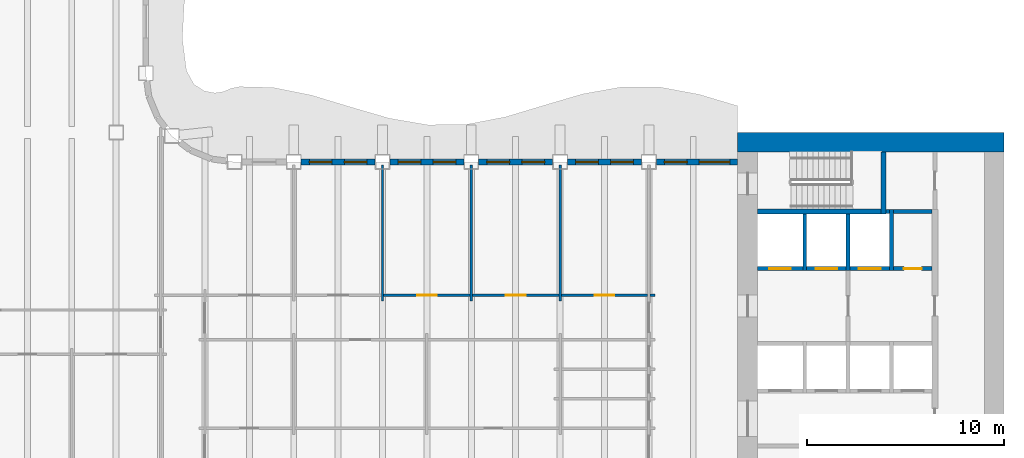
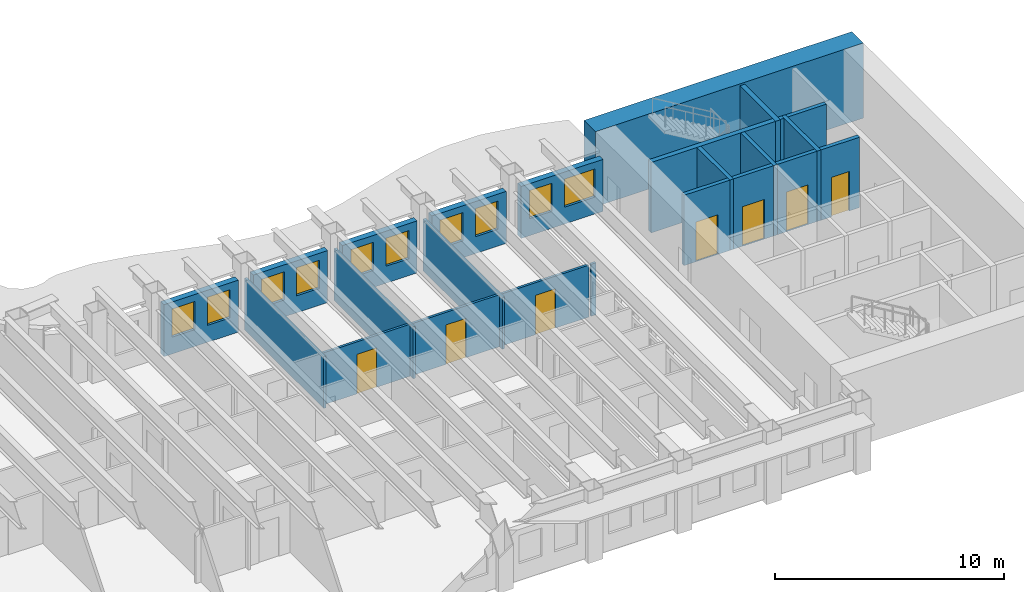
# One storey, part 7 of 16: 24 walls, 10 windows, 7 doors, 17 openings.
"""IFC4 building model written with IfcOpenShell, lengths in metres."""

from ifc_helpers import new_model, si_unit, direction, frame, frame_2d, origin, place, context, subcontext, project, spatial, rectangle, extrude, material, layer, layer_set, type_object, element, fill, save


model = new_model("IFC4")

# Units and contexts
model_context = context("Model", 3, precision=1e-05, world=origin(), true_north=direction((0.0, 1.0)))
body_context = subcontext(model_context, "Body", "Model", "MODEL_VIEW")
ifc_project = project(units=[si_unit("LENGTHUNIT", "METRE"), si_unit("AREAUNIT", "SQUARE_METRE"), si_unit("VOLUMEUNIT", "CUBIC_METRE"), si_unit("PLANEANGLEUNIT", "RADIAN"), si_unit("MASSUNIT", "GRAM", prefix="KILO")], contexts=[model_context])

# Site, building, storey
site_placement = place(None, origin())
site = spatial("IfcSite", under=ifc_project, at=site_placement, CompositionType="ELEMENT")
building_placement = place(site_placement, origin())
building = spatial("IfcBuilding", under=site, at=building_placement, Name="Sennacour Bend Tower", CompositionType="ELEMENT")
storey_placement = place(building_placement, frame((0.0, 0.0, 239.0)))
storey = spatial("IfcBuildingStorey", under=building, at=storey_placement, Name="L55", CompositionType="ELEMENT", Elevation=239.0)

# Walls
ifc_material_1 = material(Name="Concrete C60/75", Category="concrete")
ifc_layer_1 = layer(ifc_material_1, 1.0, Name="Concrete C60/75", Category="concrete")
ifc_layer_set_1 = layer_set([ifc_layer_1], Name="Concrete C60/75")
wall_type_1 = type_object("IfcWallType", Name="Core wall 1000 C60/75", PredefinedType="SHEAR", material=ifc_layer_set_1)
wall_1_placement = place(storey_placement, frame((54.0, 22.0, -0.14990234375), z_axis=(0.0, 0.0, 1.0), x_axis=(1.0, 0.0, 0.0)))
element("IfcWall", 1, at=wall_1_placement, inside=storey, type_object=wall_type_1, Name="Core A wall L55 N", PredefinedType="SHEAR", context=body_context, shape_type="SweptSolid", body=[
    extrude(rectangle(XDim=13.5, YDim=1.0, at=frame_2d((6.75, 0.0))), origin(), (0.0, 0.0, 1.0), 4.0),
])
ifc_material_2 = material(Name="Plasterboard partition on steel studs", Category="steel")
ifc_layer_2 = layer(ifc_material_2, 0.1201171875, Name="Plasterboard partition on steel studs", Category="steel")
ifc_layer_set_2 = layer_set([ifc_layer_2], Name="Plasterboard partition on steel studs")
wall_type_2 = type_object("IfcWallType", Name="Partition 120", PredefinedType="PARTITIONING", material=ifc_layer_set_2)
for number, where, z_axis, x_axis, name in (
    (2, (36.0, 13.949951171875, 0.0), (0.0, 0.0, 1.0), (0.0, 1.0, 0.0), "P-L55-W028a"),
    (3, (40.5, 13.949951171875, 0.0), (0.0, 0.0, 1.0), (0.0, 1.0, 0.0), "P-L55-W031a"),
    (4, (45.0, 13.949951171875, 0.0), (0.0, 0.0, 1.0), (0.0, 1.0, 0.0), "P-L55-W034a"),
):
    element("IfcWall", number, at=place(storey_placement, frame(where, z_axis=z_axis, x_axis=x_axis)), inside=storey, type_object=wall_type_2, Name=name, PredefinedType="PARTITIONING", context=body_context, shape_type="SweptSolid", body=[
        extrude(rectangle(XDim=6.900146484375, YDim=0.1201171875, at=frame_2d((3.4501953125, 0.0))), origin(), (0.0, 0.0, 1.0), 2.77001953125),
    ])

# Wall, opening, door
wall_2_placement = place(storey_placement, frame((36.06005859375, 14.25, 0.0), z_axis=(0.0, 0.0, 1.0), x_axis=(1.0, 0.0, 0.0)))
wall_2 = element("IfcWall", 5, at=wall_2_placement, inside=storey, type_object=wall_type_2, Name="P-L55-W066ae", PredefinedType="PARTITIONING", context=body_context, shape_type="SweptSolid", body=[
    extrude(rectangle(XDim=4.3798828125, YDim=0.1201171875, at=frame_2d((2.18994140625, 0.0))), origin(), (0.0, 0.0, 1.0), 2.77001953125),
])
opening_1_placement = place(wall_2_placement, frame((1.68994140625, 0.0, 0.0)))
opening_1 = element("IfcOpeningElement", 6, at=opening_1_placement, cuts=wall_2, Name="Opening MD2", PredefinedType="OPENING", context=body_context, shape_type="SweptSolid", body=[
    extrude(rectangle(XDim=1.0, YDim=2.10009765625, at=frame_2d((0.5, 1.050048828125))), frame((0.0, 0.070068359375, 0.0), z_axis=(0.0, -1.0, 0.0), x_axis=(1.0, 0.0, 0.0)), (0.0, 0.0, 1.0), 0.14013671875),
])
ifc_material_3 = material(Name="Timber", Category="wood")
door_type_1 = type_object("IfcDoorType", Name="DR-MEETING-1000", OperationType="NOTDEFINED", PredefinedType="DOOR", material=ifc_material_3)
door_1_placement = place(opening_1_placement, origin())
door_1 = element("IfcDoor", 7, at=door_1_placement, inside=storey, type_object=door_type_1, Name="Door", OperationType="SINGLE_SWING_LEFT", OverallHeight=2.10009765625, OverallWidth=1.0, PredefinedType="DOOR", context=body_context, shape_type="SweptSolid", body=[
    extrude(rectangle(XDim=1.0, YDim=2.10009765625, at=frame_2d((0.5, 1.050048828125))), frame((0.0, 0.02490234375, 0.0), z_axis=(0.0, -1.0, 0.0), x_axis=(1.0, 0.0, 0.0)), (0.0, 0.0, 1.0), 0.050048828125),
])
fill(opening_1, door_1)

wall_3_placement = place(storey_placement, frame((40.56005859375, 14.25, 0.0), z_axis=(0.0, 0.0, 1.0), x_axis=(1.0, 0.0, 0.0)))
wall_3 = element("IfcWall", 8, at=wall_3_placement, inside=storey, type_object=wall_type_2, Name="P-L55-W066af", PredefinedType="PARTITIONING", context=body_context, shape_type="SweptSolid", body=[
    extrude(rectangle(XDim=4.3798828125, YDim=0.1201171875, at=frame_2d((2.18994140625, 0.0))), origin(), (0.0, 0.0, 1.0), 2.77001953125),
])
opening_2_placement = place(wall_3_placement, frame((1.68994140625, 0.0, 0.0)))
opening_2 = element("IfcOpeningElement", 9, at=opening_2_placement, cuts=wall_3, Name="Opening OD2", PredefinedType="OPENING", context=body_context, shape_type="SweptSolid", body=[
    extrude(rectangle(XDim=1.0, YDim=2.10009765625, at=frame_2d((0.5, 1.050048828125))), frame((0.0, 0.070068359375, 0.0), z_axis=(0.0, -1.0, 0.0), x_axis=(1.0, 0.0, 0.0)), (0.0, 0.0, 1.0), 0.14013671875),
])
door_type_2 = type_object("IfcDoorType", Name="DR-OFFICE-1000", OperationType="NOTDEFINED", PredefinedType="DOOR", material=ifc_material_3)
door_2_placement = place(opening_2_placement, origin())
door_2 = element("IfcDoor", 10, at=door_2_placement, inside=storey, type_object=door_type_2, Name="Door", OperationType="SINGLE_SWING_LEFT", OverallHeight=2.10009765625, OverallWidth=1.0, PredefinedType="DOOR", context=body_context, shape_type="SweptSolid", body=[
    extrude(rectangle(XDim=1.0, YDim=2.10009765625, at=frame_2d((0.5, 1.050048828125))), frame((0.0, 0.02490234375, 0.0), z_axis=(0.0, -1.0, 0.0), x_axis=(1.0, 0.0, 0.0)), (0.0, 0.0, 1.0), 0.050048828125),
])
fill(opening_2, door_2)

wall_4_placement = place(storey_placement, frame((45.06005859375, 14.25, 0.0), z_axis=(0.0, 0.0, 1.0), x_axis=(1.0, 0.0, 0.0)))
wall_4 = element("IfcWall", 11, at=wall_4_placement, inside=storey, type_object=wall_type_2, Name="P-L55-W066ag", PredefinedType="PARTITIONING", context=body_context, shape_type="SweptSolid", body=[
    extrude(rectangle(XDim=4.3798828125, YDim=0.1201171875, at=frame_2d((2.18994140625, 0.0))), origin(), (0.0, 0.0, 1.0), 2.77001953125),
])
opening_3_placement = place(wall_4_placement, frame((1.68994140625, 0.0, 0.0)))
opening_3 = element("IfcOpeningElement", 12, at=opening_3_placement, cuts=wall_4, Name="Opening OD2", PredefinedType="OPENING", context=body_context, shape_type="SweptSolid", body=[
    extrude(rectangle(XDim=1.0, YDim=2.10009765625, at=frame_2d((0.5, 1.050048828125))), frame((0.0, 0.070068359375, 0.0), z_axis=(0.0, -1.0, 0.0), x_axis=(1.0, 0.0, 0.0)), (0.0, 0.0, 1.0), 0.14013671875),
])
door_3_placement = place(opening_3_placement, origin())
door_3 = element("IfcDoor", 13, at=door_3_placement, inside=storey, type_object=door_type_2, Name="Door", OperationType="SINGLE_SWING_LEFT", OverallHeight=2.10009765625, OverallWidth=1.0, PredefinedType="DOOR", context=body_context, shape_type="SweptSolid", body=[
    extrude(rectangle(XDim=1.0, YDim=2.10009765625, at=frame_2d((0.5, 1.050048828125))), frame((0.0, 0.02490234375, 0.0), z_axis=(0.0, -1.0, 0.0), x_axis=(1.0, 0.0, 0.0)), (0.0, 0.0, 1.0), 0.050048828125),
])
fill(opening_3, door_3)

# Wall
wall_5_placement = place(storey_placement, frame((49.56005859375, 14.25, 0.0), z_axis=(0.0, 0.0, 1.0), x_axis=(1.0, 0.0, 0.0)))
element("IfcWall", 14, at=wall_5_placement, inside=storey, type_object=wall_type_2, Name="P-L55-W066ah", PredefinedType="PARTITIONING", context=body_context, shape_type="SweptSolid", body=[
    extrude(rectangle(XDim=0.239990234375, YDim=0.1201171875, at=frame_2d((0.1201171875, 0.0))), origin(), (0.0, 0.0, 1.0), 2.77001953125),
])

# Wall, opening, door
ifc_material_4 = material(Name="Fire-rated plasterboard partition on steel studs", Category="steel")
ifc_layer_3 = layer(ifc_material_4, 0.199951171875, Name="Fire-rated plasterboard partition on steel studs", Category="steel")
ifc_layer_set_3 = layer_set([ifc_layer_3], Name="Fire-rated plasterboard partition on steel studs")
wall_type_3 = type_object("IfcWallType", Name="Rated partition 200", PredefinedType="PARTITIONING", material=ifc_layer_set_3)
wall_6_placement = place(storey_placement, frame((61.89990234375, 15.60009765625, 0.0), z_axis=(0.0, 0.0, 1.0), x_axis=(1.0, 0.0, 0.0)))
wall_6 = element("IfcWall", 15, at=wall_6_placement, inside=storey, type_object=wall_type_3, Name="P-L55-W068", PredefinedType="PARTITIONING", context=body_context, shape_type="SweptSolid", body=[
    extrude(rectangle(XDim=1.9501953125, YDim=0.199951171875, at=frame_2d((0.97509765625, 0.0))), origin(), (0.0, 0.0, 1.0), 3.75),
])
opening_4_placement = place(wall_6_placement, frame((0.525146484375, 0.0, 0.0)))
opening_4 = element("IfcOpeningElement", 16, at=opening_4_placement, cuts=wall_6, Name="Opening SV", PredefinedType="OPENING", context=body_context, shape_type="SweptSolid", body=[
    extrude(rectangle(XDim=0.89990234375, YDim=2.10009765625, at=frame_2d((0.449951171875, 1.050048828125))), frame((0.0, 0.10986328125, 0.0), z_axis=(0.0, -1.0, 0.0), x_axis=(1.0, 0.0, 0.0)), (0.0, 0.0, 1.0), 0.219970703125),
])
ifc_material_5 = material(Name="Painted steel", Category="steel")
door_type_3 = type_object("IfcDoorType", Name="DR-SERVICE-900", OperationType="NOTDEFINED", PredefinedType="DOOR", material=ifc_material_5)
door_4_placement = place(opening_4_placement, origin())
door_4 = element("IfcDoor", 17, at=door_4_placement, inside=storey, type_object=door_type_3, Name="Door", OperationType="SINGLE_SWING_LEFT", OverallHeight=2.10009765625, OverallWidth=0.89990234375, PredefinedType="DOOR", context=body_context, shape_type="SweptSolid", body=[
    extrude(rectangle(XDim=0.89990234375, YDim=2.10009765625, at=frame_2d((0.449951171875, 1.050048828125))), frame((0.0, 0.02490234375, 0.0), z_axis=(0.0, -1.0, 0.0), x_axis=(1.0, 0.0, 0.0)), (0.0, 0.0, 1.0), 0.050048828125),
])
fill(opening_4, door_4)

# Wall
wall_7_placement = place(storey_placement, frame((61.89990234375, 18.5, 0.0), z_axis=(0.0, 0.0, 1.0), x_axis=(1.0, 0.0, 0.0)))
element("IfcWall", 18, at=wall_7_placement, inside=storey, type_object=wall_type_3, Name="P-L55-W071", PredefinedType="PARTITIONING", context=body_context, shape_type="SweptSolid", body=[
    extrude(rectangle(XDim=1.9501953125, YDim=0.199951171875, at=frame_2d((0.97509765625, 0.0))), origin(), (0.0, 0.0, 1.0), 3.75),
])

# Wall, openings, windows
ifc_material_6 = material(Name="Warm limestone cladding", Category="masonry")
ifc_layer_4 = layer(ifc_material_6, 0.050048828125, Name="Warm limestone cladding", Category="masonry")
ifc_material_7 = material(Name="Precast concrete C40/50", Category="concrete")
ifc_layer_5 = layer(ifc_material_7, 0.25, Name="Precast concrete C40/50", Category="concrete")
ifc_layer_set_4 = layer_set([ifc_layer_4, ifc_layer_5], Name="Precast concrete C40/50 with limestone cladding")
wall_type_4 = type_object("IfcWallType", Name="STONE-CLAD PRECAST SPANDREL 300", PredefinedType="STANDARD", material=ifc_layer_set_4)
wall_8_placement = place(storey_placement, frame((54.0, 21.0, 0.0), z_axis=(0.0, 0.0, 1.0), x_axis=(-1.0, 0.0, 0.0)))
wall_8 = element("IfcWall", 19, at=wall_8_placement, inside=storey, type_object=wall_type_4, Name="Stone spandrel and pier wall L55 06.00", PredefinedType="STANDARD", context=body_context, shape_type="SweptSolid", body=[
    extrude(rectangle(XDim=4.125, YDim=0.300048828125, at=frame_2d((2.0625, 0.0))), origin(), (0.0, 0.0, 1.0), 2.77001953125),
])
opening_5_placement = place(wall_8_placement, frame((0.39990234375, 0.0, 0.89990234375)))
opening_5 = element("IfcOpeningElement", 20, at=opening_5_placement, cuts=wall_8, Name="Opening W21", PredefinedType="OPENING", context=body_context, shape_type="SweptSolid", body=[
    extrude(rectangle(XDim=1.550048828125, YDim=1.5, at=frame_2d((0.77490234375, 0.75))), frame((0.0, 0.16015625, 0.0), z_axis=(0.0, -1.0, 0.0), x_axis=(1.0, 0.0, 0.0)), (0.0, 0.0, 1.0), 0.320068359375),
])
opening_6_placement = place(wall_8_placement, frame((2.5625, 0.0, 0.89990234375)))
opening_6 = element("IfcOpeningElement", 21, at=opening_6_placement, cuts=wall_8, Name="Opening W22", PredefinedType="OPENING", context=body_context, shape_type="SweptSolid", body=[
    extrude(rectangle(XDim=1.14990234375, YDim=1.5, at=frame_2d((0.574951171875, 0.75))), frame((0.0, 0.16015625, 0.0), z_axis=(0.0, -1.0, 0.0), x_axis=(1.0, 0.0, 0.0)), (0.0, 0.0, 1.0), 0.320068359375),
])
ifc_material_8 = material(Name="Clear low-emissivity glass", Category="glass")
window_type_1 = type_object("IfcWindowType", Name="WIN-RIBBON-1150x1500", PartitioningType="SINGLE_PANEL", PredefinedType="WINDOW", material=ifc_material_8)
window_1_placement = place(opening_6_placement, origin())
window_1 = element("IfcWindow", 22, at=window_1_placement, inside=storey, type_object=window_type_1, Name="Ribbon window L55 06.00.1", OverallHeight=1.5, OverallWidth=1.14990234375, PartitioningType="SINGLE_PANEL", PredefinedType="WINDOW", context=body_context, shape_type="SweptSolid", body=[
    extrude(rectangle(XDim=1.14990234375, YDim=1.5, at=frame_2d((0.574951171875, 0.75))), frame((0.0, 0.030029296875, 0.0), z_axis=(0.0, -1.0, 0.0), x_axis=(1.0, 0.0, 0.0)), (0.0, 0.0, 1.0), 0.06005859375),
])
fill(opening_6, window_1)
window_type_2 = type_object("IfcWindowType", Name="WIN-RIBBON-1550x1500", PartitioningType="SINGLE_PANEL", PredefinedType="WINDOW", material=ifc_material_8)
window_2_placement = place(opening_5_placement, origin())
window_2 = element("IfcWindow", 23, at=window_2_placement, inside=storey, type_object=window_type_2, Name="Ribbon window L55 06.00.0", OverallHeight=1.5, OverallWidth=1.550048828125, PartitioningType="SINGLE_PANEL", PredefinedType="WINDOW", context=body_context, shape_type="SweptSolid", body=[
    extrude(rectangle(XDim=1.550048828125, YDim=1.5, at=frame_2d((0.77490234375, 0.75))), frame((0.0, 0.030029296875, 0.0), z_axis=(0.0, -1.0, 0.0), x_axis=(1.0, 0.0, 0.0)), (0.0, 0.0, 1.0), 0.06005859375),
])
fill(opening_5, window_2)

wall_9_placement = place(storey_placement, frame((49.125, 21.0, 0.0), z_axis=(0.0, 0.0, 1.0), x_axis=(-1.0, 0.0, 0.0)))
wall_9 = element("IfcWall", 24, at=wall_9_placement, inside=storey, type_object=wall_type_4, Name="Stone spandrel and pier wall L55 06.01", PredefinedType="STANDARD", context=body_context, shape_type="SweptSolid", body=[
    extrude(rectangle(XDim=3.75, YDim=0.300048828125, at=frame_2d((1.875, 0.0))), origin(), (0.0, 0.0, 1.0), 2.77001953125),
])
opening_7_placement = place(wall_9_placement, frame((0.41259765625, 0.0, 0.89990234375)))
opening_7 = element("IfcOpeningElement", 25, at=opening_7_placement, cuts=wall_9, Name="Opening W22", PredefinedType="OPENING", context=body_context, shape_type="SweptSolid", body=[
    extrude(rectangle(XDim=1.14990234375, YDim=1.5, at=frame_2d((0.574951171875, 0.75))), frame((0.0, 0.16015625, 0.0), z_axis=(0.0, -1.0, 0.0), x_axis=(1.0, 0.0, 0.0)), (0.0, 0.0, 1.0), 0.320068359375),
])
opening_8_placement = place(wall_9_placement, frame((2.1875, 0.0, 0.89990234375)))
opening_8 = element("IfcOpeningElement", 26, at=opening_8_placement, cuts=wall_9, Name="Opening W22", PredefinedType="OPENING", context=body_context, shape_type="SweptSolid", body=[
    extrude(rectangle(XDim=1.14990234375, YDim=1.5, at=frame_2d((0.574951171875, 0.75))), frame((0.0, 0.16015625, 0.0), z_axis=(0.0, -1.0, 0.0), x_axis=(1.0, 0.0, 0.0)), (0.0, 0.0, 1.0), 0.320068359375),
])
window_3_placement = place(opening_7_placement, origin())
window_3 = element("IfcWindow", 27, at=window_3_placement, inside=storey, type_object=window_type_1, Name="Ribbon window L55 06.01.0", OverallHeight=1.5, OverallWidth=1.14990234375, PartitioningType="SINGLE_PANEL", PredefinedType="WINDOW", context=body_context, shape_type="SweptSolid", body=[
    extrude(rectangle(XDim=1.14990234375, YDim=1.5, at=frame_2d((0.574951171875, 0.75))), frame((0.0, 0.030029296875, 0.0), z_axis=(0.0, -1.0, 0.0), x_axis=(1.0, 0.0, 0.0)), (0.0, 0.0, 1.0), 0.06005859375),
])
fill(opening_7, window_3)
window_4_placement = place(opening_8_placement, origin())
window_4 = element("IfcWindow", 28, at=window_4_placement, inside=storey, type_object=window_type_1, Name="Ribbon window L55 06.01.1", OverallHeight=1.5, OverallWidth=1.14990234375, PartitioningType="SINGLE_PANEL", PredefinedType="WINDOW", context=body_context, shape_type="SweptSolid", body=[
    extrude(rectangle(XDim=1.14990234375, YDim=1.5, at=frame_2d((0.574951171875, 0.75))), frame((0.0, 0.030029296875, 0.0), z_axis=(0.0, -1.0, 0.0), x_axis=(1.0, 0.0, 0.0)), (0.0, 0.0, 1.0), 0.06005859375),
])
fill(opening_8, window_4)

wall_10_placement = place(storey_placement, frame((44.625, 21.0, 0.0), z_axis=(0.0, 0.0, 1.0), x_axis=(-1.0, 0.0, 0.0)))
wall_10 = element("IfcWall", 29, at=wall_10_placement, inside=storey, type_object=wall_type_4, Name="Stone spandrel and pier wall L55 06.02", PredefinedType="STANDARD", context=body_context, shape_type="SweptSolid", body=[
    extrude(rectangle(XDim=3.75, YDim=0.300048828125, at=frame_2d((1.875, 0.0))), origin(), (0.0, 0.0, 1.0), 2.77001953125),
])
opening_9_placement = place(wall_10_placement, frame((0.41259765625, 0.0, 0.89990234375)))
opening_9 = element("IfcOpeningElement", 30, at=opening_9_placement, cuts=wall_10, Name="Opening W22", PredefinedType="OPENING", context=body_context, shape_type="SweptSolid", body=[
    extrude(rectangle(XDim=1.14990234375, YDim=1.5, at=frame_2d((0.574951171875, 0.75))), frame((0.0, 0.16015625, 0.0), z_axis=(0.0, -1.0, 0.0), x_axis=(1.0, 0.0, 0.0)), (0.0, 0.0, 1.0), 0.320068359375),
])
opening_10_placement = place(wall_10_placement, frame((2.1875, 0.0, 0.89990234375)))
opening_10 = element("IfcOpeningElement", 31, at=opening_10_placement, cuts=wall_10, Name="Opening W22", PredefinedType="OPENING", context=body_context, shape_type="SweptSolid", body=[
    extrude(rectangle(XDim=1.14990234375, YDim=1.5, at=frame_2d((0.574951171875, 0.75))), frame((0.0, 0.16015625, 0.0), z_axis=(0.0, -1.0, 0.0), x_axis=(1.0, 0.0, 0.0)), (0.0, 0.0, 1.0), 0.320068359375),
])
window_5_placement = place(opening_9_placement, origin())
window_5 = element("IfcWindow", 32, at=window_5_placement, inside=storey, type_object=window_type_1, Name="Ribbon window L55 06.02.0", OverallHeight=1.5, OverallWidth=1.14990234375, PartitioningType="SINGLE_PANEL", PredefinedType="WINDOW", context=body_context, shape_type="SweptSolid", body=[
    extrude(rectangle(XDim=1.14990234375, YDim=1.5, at=frame_2d((0.574951171875, 0.75))), frame((0.0, 0.030029296875, 0.0), z_axis=(0.0, -1.0, 0.0), x_axis=(1.0, 0.0, 0.0)), (0.0, 0.0, 1.0), 0.06005859375),
])
fill(opening_9, window_5)
window_6_placement = place(opening_10_placement, origin())
window_6 = element("IfcWindow", 33, at=window_6_placement, inside=storey, type_object=window_type_1, Name="Ribbon window L55 06.02.1", OverallHeight=1.5, OverallWidth=1.14990234375, PartitioningType="SINGLE_PANEL", PredefinedType="WINDOW", context=body_context, shape_type="SweptSolid", body=[
    extrude(rectangle(XDim=1.14990234375, YDim=1.5, at=frame_2d((0.574951171875, 0.75))), frame((0.0, 0.030029296875, 0.0), z_axis=(0.0, -1.0, 0.0), x_axis=(1.0, 0.0, 0.0)), (0.0, 0.0, 1.0), 0.06005859375),
])
fill(opening_10, window_6)

wall_11_placement = place(storey_placement, frame((40.125, 21.0, 0.0), z_axis=(0.0, 0.0, 1.0), x_axis=(-1.0, 0.0, 0.0)))
wall_11 = element("IfcWall", 34, at=wall_11_placement, inside=storey, type_object=wall_type_4, Name="Stone spandrel and pier wall L55 06.03", PredefinedType="STANDARD", context=body_context, shape_type="SweptSolid", body=[
    extrude(rectangle(XDim=3.75, YDim=0.300048828125, at=frame_2d((1.875, 0.0))), origin(), (0.0, 0.0, 1.0), 2.77001953125),
])
opening_11_placement = place(wall_11_placement, frame((0.41259765625, 0.0, 0.89990234375)))
opening_11 = element("IfcOpeningElement", 35, at=opening_11_placement, cuts=wall_11, Name="Opening W22", PredefinedType="OPENING", context=body_context, shape_type="SweptSolid", body=[
    extrude(rectangle(XDim=1.14990234375, YDim=1.5, at=frame_2d((0.574951171875, 0.75))), frame((0.0, 0.16015625, 0.0), z_axis=(0.0, -1.0, 0.0), x_axis=(1.0, 0.0, 0.0)), (0.0, 0.0, 1.0), 0.320068359375),
])
opening_12_placement = place(wall_11_placement, frame((2.1875, 0.0, 0.89990234375)))
opening_12 = element("IfcOpeningElement", 36, at=opening_12_placement, cuts=wall_11, Name="Opening W22", PredefinedType="OPENING", context=body_context, shape_type="SweptSolid", body=[
    extrude(rectangle(XDim=1.14990234375, YDim=1.5, at=frame_2d((0.574951171875, 0.75))), frame((0.0, 0.16015625, 0.0), z_axis=(0.0, -1.0, 0.0), x_axis=(1.0, 0.0, 0.0)), (0.0, 0.0, 1.0), 0.320068359375),
])
window_7_placement = place(opening_11_placement, origin())
window_7 = element("IfcWindow", 37, at=window_7_placement, inside=storey, type_object=window_type_1, Name="Ribbon window L55 06.03.0", OverallHeight=1.5, OverallWidth=1.14990234375, PartitioningType="SINGLE_PANEL", PredefinedType="WINDOW", context=body_context, shape_type="SweptSolid", body=[
    extrude(rectangle(XDim=1.14990234375, YDim=1.5, at=frame_2d((0.574951171875, 0.75))), frame((0.0, 0.030029296875, 0.0), z_axis=(0.0, -1.0, 0.0), x_axis=(1.0, 0.0, 0.0)), (0.0, 0.0, 1.0), 0.06005859375),
])
fill(opening_11, window_7)
window_8_placement = place(opening_12_placement, origin())
window_8 = element("IfcWindow", 38, at=window_8_placement, inside=storey, type_object=window_type_1, Name="Ribbon window L55 06.03.1", OverallHeight=1.5, OverallWidth=1.14990234375, PartitioningType="SINGLE_PANEL", PredefinedType="WINDOW", context=body_context, shape_type="SweptSolid", body=[
    extrude(rectangle(XDim=1.14990234375, YDim=1.5, at=frame_2d((0.574951171875, 0.75))), frame((0.0, 0.030029296875, 0.0), z_axis=(0.0, -1.0, 0.0), x_axis=(1.0, 0.0, 0.0)), (0.0, 0.0, 1.0), 0.06005859375),
])
fill(opening_12, window_8)

wall_12_placement = place(storey_placement, frame((35.625, 21.0, 0.0), z_axis=(0.0, 0.0, 1.0), x_axis=(-1.0, 0.0, 0.0)))
wall_12 = element("IfcWall", 39, at=wall_12_placement, inside=storey, type_object=wall_type_4, Name="Stone spandrel and pier wall L55 06.04", PredefinedType="STANDARD", context=body_context, shape_type="SweptSolid", body=[
    extrude(rectangle(XDim=3.75, YDim=0.300048828125, at=frame_2d((1.875, 0.0))), origin(), (0.0, 0.0, 1.0), 2.77001953125),
])
opening_13_placement = place(wall_12_placement, frame((0.41259765625, 0.0, 0.89990234375)))
opening_13 = element("IfcOpeningElement", 40, at=opening_13_placement, cuts=wall_12, Name="Opening W22", PredefinedType="OPENING", context=body_context, shape_type="SweptSolid", body=[
    extrude(rectangle(XDim=1.14990234375, YDim=1.5, at=frame_2d((0.574951171875, 0.75))), frame((0.0, 0.16015625, 0.0), z_axis=(0.0, -1.0, 0.0), x_axis=(1.0, 0.0, 0.0)), (0.0, 0.0, 1.0), 0.320068359375),
])
opening_14_placement = place(wall_12_placement, frame((2.1875, 0.0, 0.89990234375)))
opening_14 = element("IfcOpeningElement", 41, at=opening_14_placement, cuts=wall_12, Name="Opening W22", PredefinedType="OPENING", context=body_context, shape_type="SweptSolid", body=[
    extrude(rectangle(XDim=1.14990234375, YDim=1.5, at=frame_2d((0.574951171875, 0.75))), frame((0.0, 0.16015625, 0.0), z_axis=(0.0, -1.0, 0.0), x_axis=(1.0, 0.0, 0.0)), (0.0, 0.0, 1.0), 0.320068359375),
])
window_9_placement = place(opening_13_placement, origin())
window_9 = element("IfcWindow", 42, at=window_9_placement, inside=storey, type_object=window_type_1, Name="Ribbon window L55 06.04.0", OverallHeight=1.5, OverallWidth=1.14990234375, PartitioningType="SINGLE_PANEL", PredefinedType="WINDOW", context=body_context, shape_type="SweptSolid", body=[
    extrude(rectangle(XDim=1.14990234375, YDim=1.5, at=frame_2d((0.574951171875, 0.75))), frame((0.0, 0.030029296875, 0.0), z_axis=(0.0, -1.0, 0.0), x_axis=(1.0, 0.0, 0.0)), (0.0, 0.0, 1.0), 0.06005859375),
])
fill(opening_13, window_9)
window_10_placement = place(opening_14_placement, origin())
window_10 = element("IfcWindow", 43, at=window_10_placement, inside=storey, type_object=window_type_1, Name="Ribbon window L55 06.04.1", OverallHeight=1.5, OverallWidth=1.14990234375, PartitioningType="SINGLE_PANEL", PredefinedType="WINDOW", context=body_context, shape_type="SweptSolid", body=[
    extrude(rectangle(XDim=1.14990234375, YDim=1.5, at=frame_2d((0.574951171875, 0.75))), frame((0.0, 0.030029296875, 0.0), z_axis=(0.0, -1.0, 0.0), x_axis=(1.0, 0.0, 0.0)), (0.0, 0.0, 1.0), 0.06005859375),
])
fill(opening_14, window_10)

# Walls
ifc_material_9 = material(Name="Concrete C50/60", Category="concrete")
ifc_layer_6 = layer(ifc_material_9, 0.199951171875, Name="Concrete C50/60", Category="concrete")
ifc_layer_set_5 = layer_set([ifc_layer_6], Name="Concrete C50/60")
wall_type_5 = type_object("IfcWallType", Name="Shaft wall 200", PredefinedType="SOLIDWALL", material=ifc_layer_set_5)
for number, where, z_axis, x_axis, name in (
    (44, (57.39990234375, 15.5, 0.0), (0.0, 0.0, 1.0), (0.0, 1.0, 0.0), "P-L55-W038"),
    (45, (59.60009765625, 15.5, 0.0), (0.0, 0.0, 1.0), (0.0, 1.0, 0.0), "P-L55-W041"),
):
    element("IfcWall", number, at=place(storey_placement, frame(where, z_axis=z_axis, x_axis=x_axis)), inside=storey, type_object=wall_type_5, Name=name, PredefinedType="SOLIDWALL", context=body_context, shape_type="SweptSolid", body=[
        extrude(rectangle(XDim=2.875, YDim=0.199951171875, at=frame_2d((1.4375, 0.0))), origin(), (0.0, 0.0, 1.0), 3.75),
    ])
wall_13_placement = place(storey_placement, frame((61.800048828125, 15.5, 0.0), z_axis=(0.0, 0.0, 1.0), x_axis=(0.0, 1.0, 0.0)))
element("IfcWall", 46, at=wall_13_placement, inside=storey, type_object=wall_type_5, Name="P-L55-W046", PredefinedType="SOLIDWALL", context=body_context, shape_type="SweptSolid", body=[
    extrude(rectangle(XDim=3.10009765625, YDim=0.199951171875, at=frame_2d((1.550048828125, 0.0))), origin(), (0.0, 0.0, 1.0), 3.75),
])

# Wall, opening, door
wall_14_placement = place(storey_placement, frame((55.0, 15.60009765625, 0.0), z_axis=(0.0, 0.0, 1.0), x_axis=(1.0, 0.0, 0.0)))
wall_14 = element("IfcWall", 47, at=wall_14_placement, inside=storey, type_object=wall_type_5, Name="P-L55-W067a", PredefinedType="SOLIDWALL", context=body_context, shape_type="SweptSolid", body=[
    extrude(rectangle(XDim=2.300048828125, YDim=0.199951171875, at=frame_2d((1.14990234375, 0.0))), origin(), (0.0, 0.0, 1.0), 3.75),
])
opening_15_placement = place(wall_14_placement, frame((0.60009765625, 0.0, 0.011962890625)))
opening_15 = element("IfcOpeningElement", 48, at=opening_15_placement, cuts=wall_14, Name="Opening FLD", PredefinedType="OPENING", context=body_context, shape_type="SweptSolid", body=[
    extrude(rectangle(XDim=1.10009765625, YDim=2.10009765625, at=frame_2d((0.550048828125, 1.050048828125))), frame((0.0, 0.10986328125, 0.0), z_axis=(0.0, -1.0, 0.0), x_axis=(1.0, 0.0, 0.0)), (0.0, 0.0, 1.0), 0.219970703125),
])
ifc_material_10 = material(Name="Stainless steel", Category="steel")
door_type_4 = type_object("IfcDoorType", Name="DR-FF-LANDING-1100", OperationType="NOTDEFINED", PredefinedType="DOOR", material=ifc_material_10)
door_5_placement = place(opening_15_placement, origin())
door_5 = element("IfcDoor", 49, at=door_5_placement, inside=storey, type_object=door_type_4, Name="Fire service lift landing door FA1", OperationType="SLIDING_TO_LEFT", OverallHeight=2.10009765625, OverallWidth=1.10009765625, PredefinedType="DOOR", context=body_context, shape_type="SweptSolid", body=[
    extrude(rectangle(XDim=1.10009765625, YDim=2.10009765625, at=frame_2d((0.550048828125, 1.050048828125))), frame((0.0, 0.02490234375, 0.0), z_axis=(0.0, -1.0, 0.0), x_axis=(1.0, 0.0, 0.0)), (0.0, 0.0, 1.0), 0.050048828125),
])
fill(opening_15, door_5)

wall_15_placement = place(storey_placement, frame((57.5, 15.60009765625, 0.0), z_axis=(0.0, 0.0, 1.0), x_axis=(1.0, 0.0, 0.0)))
wall_15 = element("IfcWall", 50, at=wall_15_placement, inside=storey, type_object=wall_type_5, Name="P-L55-W067b", PredefinedType="SOLIDWALL", context=body_context, shape_type="SweptSolid", body=[
    extrude(rectangle(XDim=2.0, YDim=0.199951171875, at=frame_2d((1.0, 0.0))), origin(), (0.0, 0.0, 1.0), 3.75),
])
opening_16_placement = place(wall_15_placement, frame((0.449951171875, 0.0, 0.011962890625)))
opening_16 = element("IfcOpeningElement", 51, at=opening_16_placement, cuts=wall_15, Name="Opening FLD", PredefinedType="OPENING", context=body_context, shape_type="SweptSolid", body=[
    extrude(rectangle(XDim=1.10009765625, YDim=2.10009765625, at=frame_2d((0.550048828125, 1.050048828125))), frame((0.0, 0.10986328125, 0.0), z_axis=(0.0, -1.0, 0.0), x_axis=(1.0, 0.0, 0.0)), (0.0, 0.0, 1.0), 0.219970703125),
])
door_6_placement = place(opening_16_placement, origin())
door_6 = element("IfcDoor", 52, at=door_6_placement, inside=storey, type_object=door_type_4, Name="Fire service lift landing door FA2", OperationType="SLIDING_TO_RIGHT", OverallHeight=2.10009765625, OverallWidth=1.10009765625, PredefinedType="DOOR", context=body_context, shape_type="SweptSolid", body=[
    extrude(rectangle(XDim=1.10009765625, YDim=2.10009765625, at=frame_2d((0.550048828125, 1.050048828125))), frame((0.0, 0.02490234375, 0.0), z_axis=(0.0, -1.0, 0.0), x_axis=(1.0, 0.0, 0.0)), (0.0, 0.0, 1.0), 0.050048828125),
])
fill(opening_16, door_6)

wall_16_placement = place(storey_placement, frame((59.699951171875, 15.60009765625, 0.0), z_axis=(0.0, 0.0, 1.0), x_axis=(1.0, 0.0, 0.0)))
wall_16 = element("IfcWall", 53, at=wall_16_placement, inside=storey, type_object=wall_type_5, Name="P-L55-W067c", PredefinedType="SOLIDWALL", context=body_context, shape_type="SweptSolid", body=[
    extrude(rectangle(XDim=2.0, YDim=0.199951171875, at=frame_2d((1.0, 0.0))), origin(), (0.0, 0.0, 1.0), 3.75),
])
opening_17_placement = place(wall_16_placement, frame((0.449951171875, 0.0, 0.011962890625)))
opening_17 = element("IfcOpeningElement", 54, at=opening_17_placement, cuts=wall_16, Name="Opening LD", PredefinedType="OPENING", context=body_context, shape_type="SweptSolid", body=[
    extrude(rectangle(XDim=1.10009765625, YDim=2.10009765625, at=frame_2d((0.550048828125, 1.050048828125))), frame((0.0, 0.10986328125, 0.0), z_axis=(0.0, -1.0, 0.0), x_axis=(1.0, 0.0, 0.0)), (0.0, 0.0, 1.0), 0.219970703125),
])
door_type_5 = type_object("IfcDoorType", Name="DR-LANDING-1100", OperationType="NOTDEFINED", PredefinedType="DOOR", material=ifc_material_10)
door_7_placement = place(opening_17_placement, origin())
door_7 = element("IfcDoor", 55, at=door_7_placement, inside=storey, type_object=door_type_5, Name="Lift landing door HA5", OperationType="SLIDING_TO_LEFT", OverallHeight=2.10009765625, OverallWidth=1.10009765625, PredefinedType="DOOR", context=body_context, shape_type="SweptSolid", body=[
    extrude(rectangle(XDim=1.10009765625, YDim=2.10009765625, at=frame_2d((0.550048828125, 1.050048828125))), frame((0.0, 0.02490234375, 0.0), z_axis=(0.0, -1.0, 0.0), x_axis=(1.0, 0.0, 0.0)), (0.0, 0.0, 1.0), 0.050048828125),
])
fill(opening_17, door_7)

# Walls
wall_17_placement = place(storey_placement, frame((61.52490234375, 18.5, 0.0), z_axis=(0.0, 0.0, 1.0), x_axis=(1.0, 0.0, 0.0)))
element("IfcWall", 56, at=wall_17_placement, inside=storey, type_object=wall_type_5, Name="P-L55-W070", PredefinedType="SOLIDWALL", context=body_context, shape_type="SweptSolid", body=[
    extrude(rectangle(XDim=0.175048828125, YDim=0.199951171875, at=frame_2d((0.08740234375, 0.0))), origin(), (0.0, 0.0, 1.0), 3.75),
])
ifc_layer_7 = layer(ifc_material_1, 0.25, Name="Concrete C60/75", Category="concrete")
ifc_layer_set_6 = layer_set([ifc_layer_7], Name="Concrete C60/75")
wall_type_6 = type_object("IfcWallType", Name="Stair wall 250", PredefinedType="SHEAR", material=ifc_layer_set_6)
wall_18_placement = place(storey_placement, frame((61.39990234375, 18.375, 0.0), z_axis=(0.0, 0.0, 1.0), x_axis=(0.0, 1.0, 0.0)))
element("IfcWall", 57, at=wall_18_placement, inside=storey, type_object=wall_type_6, Name="P-L55-W043", PredefinedType="SHEAR", context=body_context, shape_type="SweptSolid", body=[
    extrude(rectangle(XDim=3.125, YDim=0.25, at=frame_2d((1.5625, 0.0))), origin(), (0.0, 0.0, 1.0), 3.75),
])
wall_19_placement = place(storey_placement, frame((55.0, 18.5, 0.0), z_axis=(0.0, 0.0, 1.0), x_axis=(1.0, 0.0, 0.0)))
element("IfcWall", 58, at=wall_19_placement, inside=storey, type_object=wall_type_6, Name="P-L55-W069", PredefinedType="SHEAR", context=body_context, shape_type="SweptSolid", body=[
    extrude(rectangle(XDim=6.27490234375, YDim=0.25, at=frame_2d((3.137451171875, 0.0))), origin(), (0.0, 0.0, 1.0), 3.75),
])

save(model, "model.ifc")
